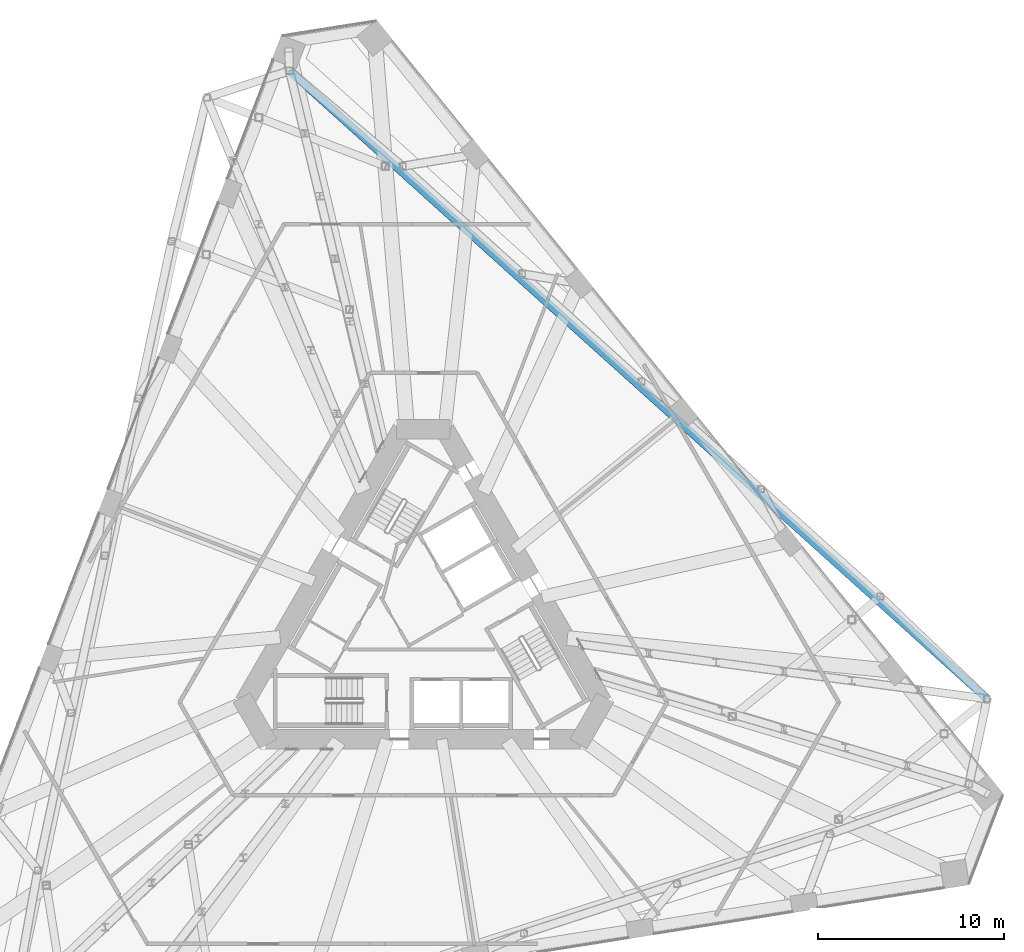
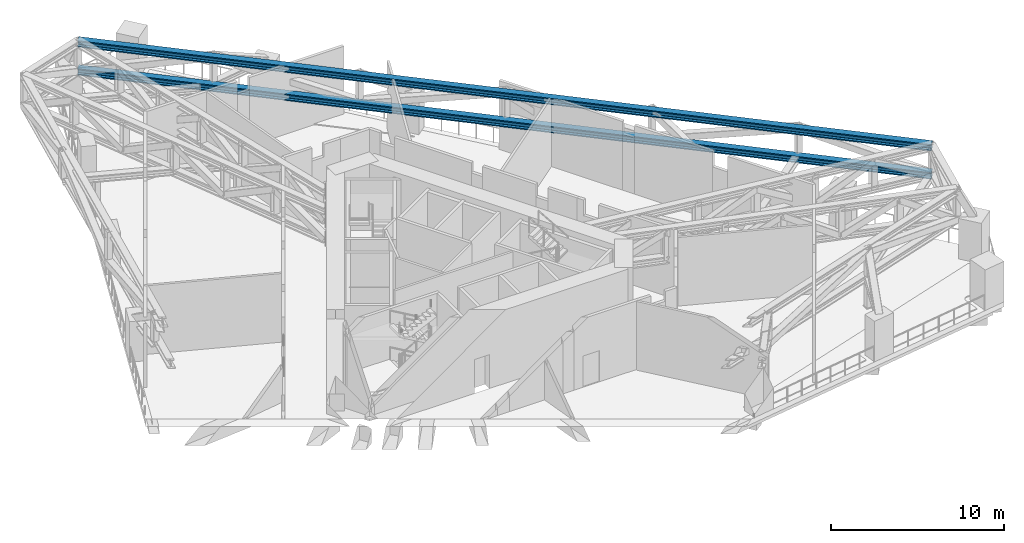
# One storey, part 8 of 20: 2 members.
"""IFC4 building model written with IfcOpenShell, lengths in metres."""

from ifc_helpers import new_model, si_unit, direction, frame, origin, origin_2d, place, context, subcontext, project, spatial, i_section, extrude, material, material_profile, profile_set, type_object, element, save


model = new_model("IFC4")

# Units and contexts
model_context = context("Model", 3, precision=1e-05, world=origin(), true_north=direction((0.0, 1.0)))
body_context = subcontext(model_context, "Body", "Model", "MODEL_VIEW")
ifc_project = project(units=[si_unit("LENGTHUNIT", "METRE"), si_unit("AREAUNIT", "SQUARE_METRE"), si_unit("VOLUMEUNIT", "CUBIC_METRE"), si_unit("PLANEANGLEUNIT", "RADIAN"), si_unit("MASSUNIT", "GRAM", prefix="KILO")], contexts=[model_context])

# Site, building, storey
site_placement = place(None, origin())
site = spatial("IfcSite", under=ifc_project, at=site_placement, CompositionType="ELEMENT")
building_placement = place(site_placement, origin())
building = spatial("IfcBuilding", under=site, at=building_placement, Name="Tramontana Tower", CompositionType="ELEMENT")
storey_placement = place(building_placement, frame((0.0, 0.0, 83.199951171875)))
storey = spatial("IfcBuildingStorey", under=building, at=storey_placement, Name="L18", CompositionType="ELEMENT", Elevation=83.199951171875)

# Members
ifc_material = material(Name="Steel ASTM A992 Grade 50", Category="steel")
ifc_material_profile = material_profile(ifc_material, i_section(OverallWidth=0.42236328125, OverallDepth=0.463623046875, WebThickness=0.04443359375, FlangeThickness=0.072998046875, FilletRadius=0.014892578125, at=origin_2d()), Name="W14X398")
ifc_profile_set = profile_set([ifc_material_profile], Name="Steel ASTM A992 Grade 50")
member_type = type_object("IfcMemberType", Name="Belt truss W14X398 chord", PredefinedType="CHORD", material=ifc_profile_set)
for number, where, z_axis, x_axis, name in (
    (1, (30.36328125, -4.059814453125, 2.6318359375), (-0.74314406779, 0.669131447855, 0.0), (-0.669131447855, -0.74314406779, 0.0), "Belt truss bottom chord S2"),
    (2, (30.36328125, -4.059814453125, 4.6181640625), (-0.74314406779, 0.669131447855, 0.0), (-0.669131447855, -0.74314406779, 0.0), "Belt truss top chord S2"),
):
    element("IfcMember", number, at=place(storey_placement, frame(where, z_axis=z_axis, x_axis=x_axis)), inside=storey, type_object=member_type, Name=name, PredefinedType="CHORD", context=body_context, shape_type="SweptSolid", body=[
        extrude(i_section(OverallWidth=0.42236328125, OverallDepth=0.463623046875, WebThickness=0.04443359375, FlangeThickness=0.072998046875, FilletRadius=0.014892578125, at=origin_2d()), origin(), (0.0, 0.0, 1.0), 50.5615234375),
    ])

save(model, "model.ifc")
